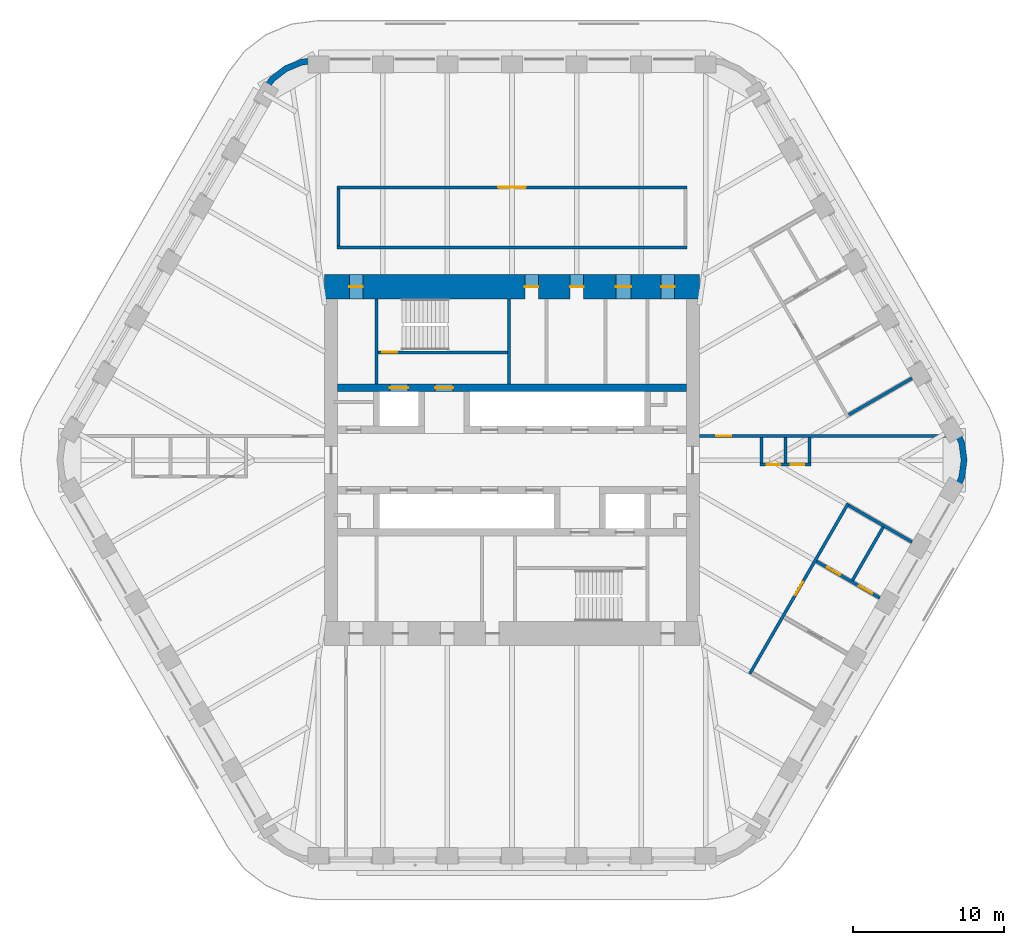
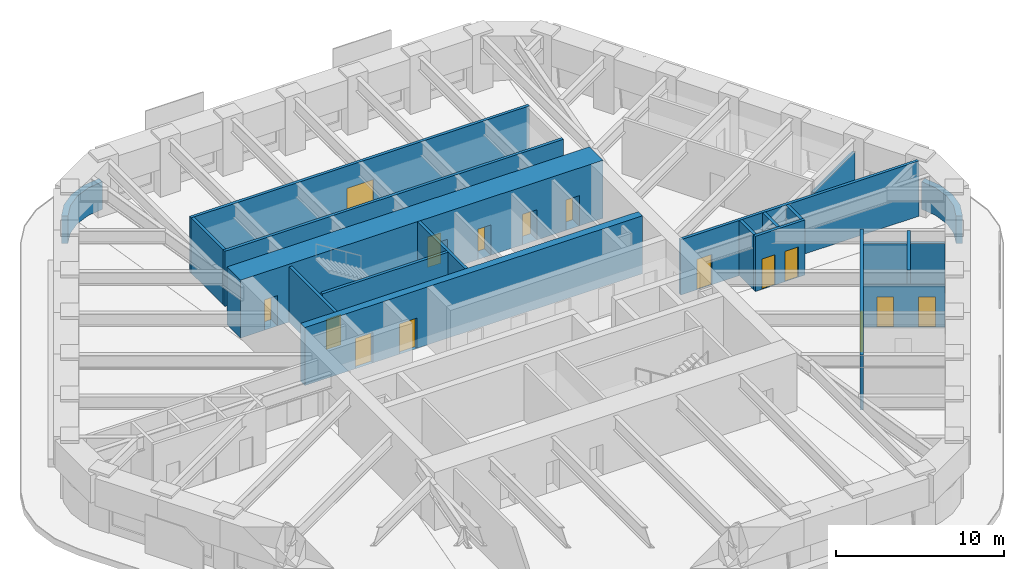
# One storey, part 15 of 18: 20 walls, 15 doors, 15 openings.
"""IFC4 building model written with IfcOpenShell, lengths in metres."""

from ifc_helpers import new_model, si_unit, direction, frame, frame_2d, origin, place, context, subcontext, project, spatial, polyline, rectangle, outline, extrude, material, layer, layer_set, type_object, element, fill, save


model = new_model("IFC4")

# Units and contexts
model_context = context("Model", 3, precision=1e-05, world=origin(), true_north=direction((0.0, 1.0)))
body_context = subcontext(model_context, "Body", "Model", "MODEL_VIEW")
ifc_project = project(units=[si_unit("LENGTHUNIT", "METRE"), si_unit("AREAUNIT", "SQUARE_METRE"), si_unit("VOLUMEUNIT", "CUBIC_METRE"), si_unit("PLANEANGLEUNIT", "RADIAN"), si_unit("MASSUNIT", "GRAM", prefix="KILO")], contexts=[model_context])

# Site, building, storey
site_placement = place(None, origin())
site = spatial("IfcSite", under=ifc_project, at=site_placement, CompositionType="ELEMENT")
building_placement = place(site_placement, origin())
building = spatial("IfcBuilding", under=site, at=building_placement, Name="Tarfa Lantern Tower", CompositionType="ELEMENT")
storey_placement = place(building_placement, frame((0.0, 0.0, 324.10009765625)))
storey = spatial("IfcBuildingStorey", under=building, at=storey_placement, Name="L73", CompositionType="ELEMENT", Elevation=324.10009765625)

# Walls
ifc_material_1 = material(Name="Limestone cladding on blockwork", Category="masonry")
ifc_layer_1 = layer(ifc_material_1, 0.39990234375)
ifc_layer_set_1 = layer_set([ifc_layer_1], Name="EW2 CURVED STONE CORNER 400")
wall_type_1 = type_object("IfcWallType", Name="EW2 CURVED STONE CORNER 400", PredefinedType="SOLIDWALL", material=ifc_layer_set_1)
wall_1_placement = place(storey_placement, origin())
element("IfcWall", 1, at=wall_1_placement, inside=storey, type_object=wall_type_1, Name="Stone corner N-NW", PredefinedType="SOLIDWALL", context=body_context, shape_type="SweptSolid", body=[
    extrude(outline(polyline([(-12.845947265625, 26.75), (-14.0107421875, 26.5966796875), (-15.095947265625, 26.147216796875), (-16.028076171875, 25.431884765625), (-16.7431640625, 24.5), (-16.396728515625, 24.300048828125), (-15.7451171875, 25.149169921875), (-14.89599609375, 25.80078125), (-13.9072265625, 26.210205078125), (-12.845947265625, 26.35009765625), (-12.845947265625, 26.75)])), origin(), (0.0, 0.0, 1.0), 2.0),
])
wall_2_placement = place(storey_placement, origin())
element("IfcWall", 2, at=wall_2_placement, inside=storey, type_object=wall_type_1, Name="Stone corner SE-NE", PredefinedType="SOLIDWALL", context=body_context, shape_type="SweptSolid", body=[
    extrude(outline(polyline([(29.589111328125, -2.25), (30.038818359375, -1.164794921875), (30.192138671875, 0.0), (30.038818359375, 1.164794921875), (29.589111328125, 2.25), (29.24267578125, 2.050048828125), (29.65234375, 1.061279296875), (29.7919921875, 0.0), (29.65234375, -1.061279296875), (29.24267578125, -2.050048828125), (29.589111328125, -2.25)])), origin(), (0.0, 0.0, 1.0), 2.0),
])
ifc_material_2 = material(Name="Concrete blockwork", Category="masonry")
ifc_layer_2 = layer(ifc_material_2, 0.199951171875)
ifc_layer_set_2 = layer_set([ifc_layer_2], Name="IW1 BLOCKWORK PARTITION 200 EI 120")
wall_type_2 = type_object("IfcWallType", Name="IW1 BLOCKWORK PARTITION 200 EI 120", PredefinedType="PARTITIONING", material=ifc_layer_set_2)
wall_3_placement = place(storey_placement, frame((-9.0, 5.050048828125, 0.0), z_axis=(0.0, 0.0, 1.0), x_axis=(0.0, 1.0, 0.0)))
element("IfcWall", 3, at=wall_3_placement, inside=storey, type_object=wall_type_2, Name="Core partition", PredefinedType="PARTITIONING", context=body_context, shape_type="SweptSolid", body=[
    extrude(rectangle(XDim=5.64990234375, YDim=0.199951171875, at=frame_2d((2.824951171875, 0.0))), origin(), (0.0, 0.0, 1.0), 4.0),
])
ifc_material_3 = material(Name="Gypsum board on steel studs", Category="steel")
ifc_layer_3 = layer(ifc_material_3, 0.2099609375)
ifc_layer_set_3 = layer_set([ifc_layer_3], Name="IW2 ACOUSTIC PARTITION 200")
wall_type_3 = type_object("IfcWallType", Name="IW2 ACOUSTIC PARTITION 200", PredefinedType="PARTITIONING", material=ifc_layer_set_3)
wall_4_placement = place(storey_placement, frame((-11.60009765625, 14.10009765625, 0.0), z_axis=(0.0, 0.0, 1.0), x_axis=(1.0, 0.0, 0.0)))
element("IfcWall", 4, at=wall_4_placement, inside=storey, type_object=wall_type_3, Name="Partition", PredefinedType="PARTITIONING", context=body_context, shape_type="SweptSolid", body=[
    extrude(rectangle(XDim=23.2001953125, YDim=0.199951171875, at=frame_2d((11.60009765625, 0.0))), origin(), (0.0, 0.0, 1.0), 4.0),
])

# Wall, opening, door
wall_5_placement = place(storey_placement, frame((-11.60009765625, 18.10009765625, 0.0), z_axis=(0.0, 0.0, 1.0), x_axis=(1.0, 0.0, 0.0)))
wall_5 = element("IfcWall", 5, at=wall_5_placement, inside=storey, type_object=wall_type_3, Name="Partition", PredefinedType="PARTITIONING", context=body_context, shape_type="SweptSolid", body=[
    extrude(rectangle(XDim=23.2001953125, YDim=0.199951171875, at=frame_2d((11.60009765625, 0.0))), origin(), (0.0, 0.0, 1.0), 4.0),
])
opening_1_placement = place(wall_5_placement, frame((10.699951171875, 0.0, 0.0)))
opening_1 = element("IfcOpeningElement", 6, at=opening_1_placement, cuts=wall_5, Name="Opening D29", PredefinedType="OPENING", context=body_context, shape_type="SweptSolid", body=[
    extrude(rectangle(XDim=1.800048828125, YDim=2.39990234375, at=frame_2d((0.89990234375, 1.199951171875))), frame((0.0, 0.10986328125, 0.0), z_axis=(0.0, -1.0, 0.0), x_axis=(1.0, 0.0, 0.0)), (0.0, 0.0, 1.0), 0.219970703125),
])
ifc_material_4 = material(Name="Timber door", Category="wood")
door_type_1 = type_object("IfcDoorType", Name="DR2 ROOM DOOR 1800x2400", OperationType="DOUBLE_DOOR_SINGLE_SWING", PredefinedType="DOOR", material=ifc_material_4)
door_1_placement = place(opening_1_placement, frame((1.800048828125, 0.0, 0.0), z_axis=(0.0, 0.0, 1.0), x_axis=(-1.0, 0.0, 0.0)))
door_1 = element("IfcDoor", 7, at=door_1_placement, inside=storey, type_object=door_type_1, Name="Meeting room door", OperationType="DOUBLE_DOOR_SINGLE_SWING", OverallHeight=2.39990234375, OverallWidth=1.800048828125, PredefinedType="DOOR", context=body_context, shape_type="SweptSolid", body=[
    extrude(rectangle(XDim=1.800048828125, YDim=2.39990234375, at=frame_2d((0.89990234375, 1.199951171875))), frame((0.0, 0.02490234375, 0.0), z_axis=(0.0, -1.0, 0.0), x_axis=(1.0, 0.0, 0.0)), (0.0, 0.0, 1.0), 0.050048828125),
])
fill(opening_1, door_1)

# Walls
wall_6_placement = place(storey_placement, frame((-11.5, 14.199951171875, 0.0), z_axis=(0.0, 0.0, 1.0), x_axis=(0.0, 1.0, 0.0)))
element("IfcWall", 8, at=wall_6_placement, inside=storey, type_object=wall_type_3, Name="Partition", PredefinedType="PARTITIONING", context=body_context, shape_type="SweptSolid", body=[
    extrude(rectangle(XDim=3.800048828125, YDim=0.199951171875, at=frame_2d((1.89990234375, 0.0))), origin(), (0.0, 0.0, 1.0), 4.0),
])
wall_7_placement = place(storey_placement, frame((22.338623046875, 3.00830078125, 0.0), z_axis=(0.0, 0.0, 1.0), x_axis=(0.866019606374, 0.500010041276, 0.0)))
element("IfcWall", 9, at=wall_7_placement, inside=storey, type_object=wall_type_3, Name="Partition", PredefinedType="PARTITIONING", context=body_context, shape_type="SweptSolid", body=[
    extrude(rectangle(XDim=4.85009765625, YDim=0.199951171875, at=frame_2d((2.425048828125, 0.0))), origin(), (0.0, 0.0, 1.0), 3.08154296875),
])

# Wall, opening, door
wall_8_placement = place(storey_placement, frame((15.779052734375, -14.169921875, 0.0), z_axis=(0.0, 0.0, 1.0), x_axis=(0.499999460936, 0.866025715013, 0.0)))
wall_8 = element("IfcWall", 10, at=wall_8_placement, inside=storey, type_object=wall_type_3, Name="Partition", PredefinedType="PARTITIONING", context=body_context, shape_type="SweptSolid", body=[
    extrude(rectangle(XDim=13.0458984375, YDim=0.199951171875, at=frame_2d((6.52294921875, 0.0))), origin(), (0.0, 0.0, 1.0), 4.0),
])
opening_2_placement = place(wall_8_placement, frame((6.02294921875, 0.0, 0.0)))
opening_2 = element("IfcOpeningElement", 11, at=opening_2_placement, cuts=wall_8, Name="Opening D26", PredefinedType="OPENING", context=body_context, shape_type="SweptSolid", body=[
    extrude(rectangle(XDim=1.0, YDim=2.199951171875, at=frame_2d((0.5, 1.10009765625))), frame((0.0, 0.10986328125, 0.0), z_axis=(0.0, -1.0, 0.0), x_axis=(1.0, 0.0, 0.0)), (0.0, 0.0, 1.0), 0.219970703125),
])
door_type_2 = type_object("IfcDoorType", Name="DR1 ROOM DOOR 1000x2200", OperationType="SINGLE_SWING_LEFT", PredefinedType="DOOR", material=ifc_material_4)
door_2_placement = place(opening_2_placement, frame((1.0, 0.0, 0.0), z_axis=(0.0, 0.0, 1.0), x_axis=(-1.0, 0.0, 0.0)))
door_2 = element("IfcDoor", 12, at=door_2_placement, inside=storey, type_object=door_type_2, Name="PA area door", OperationType="SINGLE_SWING_RIGHT", OverallHeight=2.199951171875, OverallWidth=1.0, PredefinedType="DOOR", context=body_context, shape_type="SweptSolid", body=[
    extrude(rectangle(XDim=1.0, YDim=2.199951171875, at=frame_2d((0.5, 1.10009765625))), frame((0.0, 0.02490234375, 0.0), z_axis=(0.0, -1.0, 0.0), x_axis=(1.0, 0.0, 0.0)), (0.0, 0.0, 1.0), 0.050048828125),
])
fill(opening_2, door_2)

# Wall, openings, doors
wall_9_placement = place(storey_placement, frame((20.19775390625, -6.716552734375, 0.0), z_axis=(0.0, 0.0, 1.0), x_axis=(0.866019606374, -0.500010041276, 0.0)))
wall_9 = element("IfcWall", 13, at=wall_9_placement, inside=storey, type_object=wall_type_3, Name="Partition", PredefinedType="PARTITIONING", context=body_context, shape_type="SweptSolid", body=[
    extrude(rectangle(XDim=4.85009765625, YDim=0.199951171875, at=frame_2d((2.425048828125, 0.0))), origin(), (0.0, 0.0, 1.0), 2.99169921875),
])
opening_3_placement = place(wall_9_placement, frame((0.800048828125, 0.0, 0.0)))
opening_3 = element("IfcOpeningElement", 14, at=opening_3_placement, cuts=wall_9, Name="Opening D27", PredefinedType="OPENING", context=body_context, shape_type="SweptSolid", body=[
    extrude(rectangle(XDim=1.0, YDim=2.199951171875, at=frame_2d((0.5, 1.10009765625))), frame((0.0, 0.10986328125, 0.0), z_axis=(0.0, -1.0, 0.0), x_axis=(1.0, 0.0, 0.0)), (0.0, 0.0, 1.0), 0.219970703125),
])
opening_4_placement = place(wall_9_placement, frame((3.27490234375, 0.0, 0.0)))
opening_4 = element("IfcOpeningElement", 15, at=opening_4_placement, cuts=wall_9, Name="Opening D28", PredefinedType="OPENING", context=body_context, shape_type="SweptSolid", body=[
    extrude(rectangle(XDim=1.0, YDim=2.199951171875, at=frame_2d((0.5, 1.10009765625))), frame((0.0, 0.10986328125, 0.0), z_axis=(0.0, -1.0, 0.0), x_axis=(1.0, 0.0, 0.0)), (0.0, 0.0, 1.0), 0.219970703125),
])
door_3_placement = place(opening_3_placement, origin())
door_3 = element("IfcDoor", 16, at=door_3_placement, inside=storey, type_object=door_type_2, Name="Meeting room door", OperationType="SINGLE_SWING_RIGHT", OverallHeight=2.199951171875, OverallWidth=1.0, PredefinedType="DOOR", context=body_context, shape_type="SweptSolid", body=[
    extrude(rectangle(XDim=1.0, YDim=2.199951171875, at=frame_2d((0.5, 1.10009765625))), frame((0.0, 0.02490234375, 0.0), z_axis=(0.0, -1.0, 0.0), x_axis=(1.0, 0.0, 0.0)), (0.0, 0.0, 1.0), 0.050048828125),
])
fill(opening_3, door_3)
door_4_placement = place(opening_4_placement, origin())
door_4 = element("IfcDoor", 17, at=door_4_placement, inside=storey, type_object=door_type_2, Name="Pantry door", OperationType="SINGLE_SWING_RIGHT", OverallHeight=2.199951171875, OverallWidth=1.0, PredefinedType="DOOR", context=body_context, shape_type="SweptSolid", body=[
    extrude(rectangle(XDim=1.0, YDim=2.199951171875, at=frame_2d((0.5, 1.10009765625))), frame((0.0, 0.02490234375, 0.0), z_axis=(0.0, -1.0, 0.0), x_axis=(1.0, 0.0, 0.0)), (0.0, 0.0, 1.0), 0.050048828125),
])
fill(opening_4, door_4)

# Walls
wall_10_placement = place(storey_placement, frame((22.338623046875, -3.00830078125, 0.0), z_axis=(0.0, 0.0, 1.0), x_axis=(0.866019606374, -0.500010041276, 0.0)))
element("IfcWall", 18, at=wall_10_placement, inside=storey, type_object=wall_type_3, Name="Partition", PredefinedType="PARTITIONING", context=body_context, shape_type="SweptSolid", body=[
    extrude(rectangle(XDim=4.85009765625, YDim=0.199951171875, at=frame_2d((2.425048828125, 0.0))), origin(), (0.0, 0.0, 1.0), 3.08154296875),
])
wall_11_placement = place(storey_placement, frame((22.5859375, -7.97998046875, 0.0), z_axis=(0.0, 0.0, 1.0), x_axis=(0.499998569178, 0.866026229868, 0.0)))
element("IfcWall", 19, at=wall_11_placement, inside=storey, type_object=wall_type_3, Name="Partition", PredefinedType="PARTITIONING", context=body_context, shape_type="SweptSolid", body=[
    extrude(rectangle(XDim=4.08203125, YDim=0.199951171875, at=frame_2d((2.041015625, 0.0))), origin(), (0.0, 0.0, 1.0), 4.0),
])

# Wall, opening, door
wall_12_placement = place(storey_placement, frame((12.425048828125, 1.60009765625, 0.0), z_axis=(0.0, 0.0, 1.0), x_axis=(1.0, 0.0, 0.0)))
wall_12 = element("IfcWall", 20, at=wall_12_placement, inside=storey, type_object=wall_type_3, Name="Partition", PredefinedType="PARTITIONING", context=body_context, shape_type="SweptSolid", body=[
    extrude(rectangle(XDim=16.326904296875, YDim=0.199951171875, at=frame_2d((8.16357421875, 0.0))), origin(), (0.0, 0.0, 1.0), 4.0),
])
opening_5_placement = place(wall_12_placement, frame((1.1328125, 0.0, 0.0)))
opening_5 = element("IfcOpeningElement", 21, at=opening_5_placement, cuts=wall_12, Name="Opening D35", PredefinedType="OPENING", context=body_context, shape_type="SweptSolid", body=[
    extrude(rectangle(XDim=1.0, YDim=2.199951171875, at=frame_2d((0.5, 1.10009765625))), frame((0.0, 0.10986328125, 0.0), z_axis=(0.0, -1.0, 0.0), x_axis=(1.0, 0.0, 0.0)), (0.0, 0.0, 1.0), 0.219970703125),
])
door_5_placement = place(opening_5_placement, frame((1.0, 0.0, 0.0), z_axis=(0.0, 0.0, 1.0), x_axis=(-1.0, 0.0, 0.0)))
door_5 = element("IfcDoor", 22, at=door_5_placement, inside=storey, type_object=door_type_2, Name="Zone door", OperationType="SINGLE_SWING_LEFT", OverallHeight=2.199951171875, OverallWidth=1.0, PredefinedType="DOOR", context=body_context, shape_type="SweptSolid", body=[
    extrude(rectangle(XDim=1.0, YDim=2.199951171875, at=frame_2d((0.5, 1.10009765625))), frame((0.0, 0.02490234375, 0.0), z_axis=(0.0, -1.0, 0.0), x_axis=(1.0, 0.0, 0.0)), (0.0, 0.0, 1.0), 0.050048828125),
])
fill(opening_5, door_5)

# Wall, openings, doors
wall_13_placement = place(storey_placement, frame((16.439453125, -0.300048828125, 0.0), z_axis=(0.0, 0.0, 1.0), x_axis=(1.0, 0.0, 0.0)))
wall_13 = element("IfcWall", 23, at=wall_13_placement, inside=storey, type_object=wall_type_3, Name="Partition", PredefinedType="PARTITIONING", context=body_context, shape_type="SweptSolid", body=[
    extrude(rectangle(XDim=3.39990234375, YDim=0.199951171875, at=frame_2d((1.699951171875, 0.0))), origin(), (0.0, 0.0, 1.0), 4.0),
])
opening_6_placement = place(wall_13_placement, frame((0.449951171875, 0.0, 0.0)))
opening_6 = element("IfcOpeningElement", 24, at=opening_6_placement, cuts=wall_13, Name="Opening D33", PredefinedType="OPENING", context=body_context, shape_type="SweptSolid", body=[
    extrude(rectangle(XDim=0.89990234375, YDim=2.199951171875, at=frame_2d((0.449951171875, 1.10009765625))), frame((0.0, 0.10986328125, 0.0), z_axis=(0.0, -1.0, 0.0), x_axis=(1.0, 0.0, 0.0)), (0.0, 0.0, 1.0), 0.219970703125),
])
opening_7_placement = place(wall_13_placement, frame((2.050048828125, 0.0, 0.0)))
opening_7 = element("IfcOpeningElement", 25, at=opening_7_placement, cuts=wall_13, Name="Opening D34", PredefinedType="OPENING", context=body_context, shape_type="SweptSolid", body=[
    extrude(rectangle(XDim=0.89990234375, YDim=2.199951171875, at=frame_2d((0.449951171875, 1.10009765625))), frame((0.0, 0.10986328125, 0.0), z_axis=(0.0, -1.0, 0.0), x_axis=(1.0, 0.0, 0.0)), (0.0, 0.0, 1.0), 0.219970703125),
])
door_type_3 = type_object("IfcDoorType", Name="DR3 ROOM DOOR 900x2200", OperationType="SINGLE_SWING_LEFT", PredefinedType="DOOR", material=ifc_material_4)
door_6_placement = place(opening_6_placement, origin())
door_6 = element("IfcDoor", 26, at=door_6_placement, inside=storey, type_object=door_type_3, Name="Phone booth door", OperationType="SINGLE_SWING_RIGHT", OverallHeight=2.199951171875, OverallWidth=0.89990234375, PredefinedType="DOOR", context=body_context, shape_type="SweptSolid", body=[
    extrude(rectangle(XDim=0.89990234375, YDim=2.199951171875, at=frame_2d((0.449951171875, 1.10009765625))), frame((0.0, 0.02490234375, 0.0), z_axis=(0.0, -1.0, 0.0), x_axis=(1.0, 0.0, 0.0)), (0.0, 0.0, 1.0), 0.050048828125),
])
fill(opening_6, door_6)
door_7_placement = place(opening_7_placement, origin())
door_7 = element("IfcDoor", 27, at=door_7_placement, inside=storey, type_object=door_type_3, Name="Phone booth door", OperationType="SINGLE_SWING_LEFT", OverallHeight=2.199951171875, OverallWidth=0.89990234375, PredefinedType="DOOR", context=body_context, shape_type="SweptSolid", body=[
    extrude(rectangle(XDim=0.89990234375, YDim=2.199951171875, at=frame_2d((0.449951171875, 1.10009765625))), frame((0.0, 0.02490234375, 0.0), z_axis=(0.0, -1.0, 0.0), x_axis=(1.0, 0.0, 0.0)), (0.0, 0.0, 1.0), 0.050048828125),
])
fill(opening_7, door_7)

# Walls
for number, where, z_axis, x_axis, name in (
    (28, (16.53955078125, 1.5, 0.0), (0.0, 0.0, 1.0), (0.0, -1.0, 0.0), "Partition"),
    (29, (18.139404296875, 1.5, 0.0), (0.0, 0.0, 1.0), (0.0, -1.0, 0.0), "Partition"),
    (30, (19.739501953125, 1.5, 0.0), (0.0, 0.0, 1.0), (0.0, -1.0, 0.0), "Partition"),
):
    element("IfcWall", number, at=place(storey_placement, frame(where, z_axis=z_axis, x_axis=x_axis)), inside=storey, type_object=wall_type_3, Name=name, PredefinedType="PARTITIONING", context=body_context, shape_type="SweptSolid", body=[
        extrude(rectangle(XDim=1.699951171875, YDim=0.199951171875, at=frame_2d((0.85009765625, 0.0))), origin(), (0.0, 0.0, 1.0), 4.0),
    ])
ifc_material_5 = material(Name="Concrete C80/95", Category="concrete")
ifc_layer_4 = layer(ifc_material_5, 0.199951171875)
ifc_layer_set_4 = layer_set([ifc_layer_4], Name="SW12 CORE WALL 200")
wall_type_4 = type_object("IfcWallType", Name="SW12 CORE WALL 200", PredefinedType="SHEAR", material=ifc_layer_set_4)
wall_14_placement = place(storey_placement, frame((-0.199951171875, 5.050048828125, 0.0), z_axis=(0.0, 0.0, 1.0), x_axis=(0.0, 1.0, 0.0)))
element("IfcWall", 31, at=wall_14_placement, inside=storey, type_object=wall_type_4, Name="Core wall stair shaft N", PredefinedType="SHEAR", context=body_context, shape_type="SweptSolid", body=[
    extrude(rectangle(XDim=5.64990234375, YDim=0.199951171875, at=frame_2d((2.824951171875, 0.0))), origin(), (0.0, 0.0, 1.0), 4.199951171875),
])

# Wall, opening, door
wall_15_placement = place(storey_placement, frame((-8.89990234375, 7.14990234375, 0.0), z_axis=(0.0, 0.0, 1.0), x_axis=(1.0, 0.0, 0.0)))
wall_15 = element("IfcWall", 32, at=wall_15_placement, inside=storey, type_object=wall_type_4, Name="Core wall stair partition N", PredefinedType="SHEAR", context=body_context, shape_type="SweptSolid", body=[
    extrude(rectangle(XDim=8.599853515625, YDim=0.199951171875, at=frame_2d((4.2998046875, 0.0))), origin(), (0.0, 0.0, 1.0), 4.199951171875),
])
opening_8_placement = place(wall_15_placement, frame((0.300048828125, 0.0, 0.0)))
opening_8 = element("IfcOpeningElement", 33, at=opening_8_placement, cuts=wall_15, Name="Opening D19", PredefinedType="OPENING", context=body_context, shape_type="SweptSolid", body=[
    extrude(rectangle(XDim=1.0, YDim=2.199951171875, at=frame_2d((0.5, 1.10009765625))), frame((0.0, 0.10986328125, 0.0), z_axis=(0.0, -1.0, 0.0), x_axis=(1.0, 0.0, 0.0)), (0.0, 0.0, 1.0), 0.219970703125),
])
ifc_material_6 = material(Name="Steel fire door", Category="steel")
door_type_4 = type_object("IfcDoorType", Name="DF2 STAIR DOOR 1000x2200", OperationType="SINGLE_SWING_LEFT", PredefinedType="DOOR", material=ifc_material_6)
door_8_placement = place(opening_8_placement, origin())
door_8 = element("IfcDoor", 34, at=door_8_placement, inside=storey, type_object=door_type_4, Name="Stair door", OperationType="SINGLE_SWING_RIGHT", OverallHeight=2.199951171875, OverallWidth=1.0, PredefinedType="DOOR", context=body_context, shape_type="SweptSolid", body=[
    extrude(rectangle(XDim=1.0, YDim=2.199951171875, at=frame_2d((0.5, 1.10009765625))), frame((0.0, 0.02490234375, 0.0), z_axis=(0.0, -1.0, 0.0), x_axis=(1.0, 0.0, 0.0)), (0.0, 0.0, 1.0), 0.050048828125),
])
fill(opening_8, door_8)

# Wall, openings, doors
ifc_layer_5 = layer(ifc_material_5, 0.5)
ifc_layer_set_5 = layer_set([ifc_layer_5], Name="SW5 CORE WALL 500")
wall_type_5 = type_object("IfcWallType", Name="SW5 CORE WALL 500", PredefinedType="SHEAR", material=ifc_layer_set_5)
wall_16_placement = place(storey_placement, frame((-11.574951171875, 4.800048828125, 0.0), z_axis=(0.0, 0.0, 1.0), x_axis=(1.0, 0.0, 0.0)))
wall_16 = element("IfcWall", 35, at=wall_16_placement, inside=storey, type_object=wall_type_5, Name="Core wall rear N", PredefinedType="SHEAR", context=body_context, shape_type="SweptSolid", body=[
    extrude(rectangle(XDim=23.14990234375, YDim=0.5, at=frame_2d((11.574951171875, 0.0))), origin(), (0.0, 0.0, 1.0), 4.199951171875),
])
opening_9_placement = place(wall_16_placement, frame((6.47509765625, 0.0, 0.0)))
opening_9 = element("IfcOpeningElement", 36, at=opening_9_placement, cuts=wall_16, Name="Opening D05", PredefinedType="OPENING", context=body_context, shape_type="SweptSolid", body=[
    extrude(rectangle(XDim=1.199951171875, YDim=2.199951171875, at=frame_2d((0.60009765625, 1.10009765625))), frame((0.0, 0.260009765625, 0.0), z_axis=(0.0, -1.0, 0.0), x_axis=(1.0, 0.0, 0.0)), (0.0, 0.0, 1.0), 0.52001953125),
])
opening_10_placement = place(wall_16_placement, frame((3.47509765625, 0.0, 0.0)))
opening_10 = element("IfcOpeningElement", 37, at=opening_10_placement, cuts=wall_16, Name="Opening LD01", PredefinedType="OPENING", context=body_context, shape_type="SweptSolid", body=[
    extrude(rectangle(XDim=1.199951171875, YDim=2.199951171875, at=frame_2d((0.60009765625, 1.10009765625))), frame((0.0, 0.260009765625, 0.0), z_axis=(0.0, -1.0, 0.0), x_axis=(1.0, 0.0, 0.0)), (0.0, 0.0, 1.0), 0.52001953125),
])
door_type_5 = type_object("IfcDoorType", Name="DF1 FIREFIGHTING LOBBY DOOR 1200x2200", OperationType="SINGLE_SWING_LEFT", PredefinedType="DOOR", material=ifc_material_6)
door_9_placement = place(opening_9_placement, origin())
door_9 = element("IfcDoor", 38, at=door_9_placement, inside=storey, type_object=door_type_5, Name="Firefighting lobby door", OperationType="SINGLE_SWING_LEFT", OverallHeight=2.199951171875, OverallWidth=1.199951171875, PredefinedType="DOOR", context=body_context, shape_type="SweptSolid", body=[
    extrude(rectangle(XDim=1.199951171875, YDim=2.199951171875, at=frame_2d((0.60009765625, 1.10009765625))), frame((0.0, 0.02490234375, 0.0), z_axis=(0.0, -1.0, 0.0), x_axis=(1.0, 0.0, 0.0)), (0.0, 0.0, 1.0), 0.050048828125),
])
fill(opening_9, door_9)
ifc_material_7 = material(Name="Stainless steel lift door", Category="steel")
door_type_6 = type_object("IfcDoorType", Name="LD1 LIFT LANDING DOOR 1200x2200", OperationType="SLIDING_TO_LEFT", PredefinedType="DOOR", material=ifc_material_7)
door_10_placement = place(opening_10_placement, origin())
door_10 = element("IfcDoor", 39, at=door_10_placement, inside=storey, type_object=door_type_6, Name="Landing door FL1", OperationType="SLIDING_TO_LEFT", OverallHeight=2.199951171875, OverallWidth=1.199951171875, PredefinedType="DOOR", context=body_context, shape_type="SweptSolid", body=[
    extrude(rectangle(XDim=1.199951171875, YDim=2.199951171875, at=frame_2d((0.60009765625, 1.10009765625))), frame((0.0, 0.02490234375, 0.0), z_axis=(0.0, -1.0, 0.0), x_axis=(1.0, 0.0, 0.0)), (0.0, 0.0, 1.0), 0.050048828125),
])
fill(opening_10, door_10)

ifc_layer_6 = layer(ifc_material_5, 1.60009765625)
ifc_layer_set_6 = layer_set([ifc_layer_6], Name="SW7 CORE WALL 1600")
wall_type_6 = type_object("IfcWallType", Name="SW7 CORE WALL 1600", PredefinedType="SHEAR", material=ifc_layer_set_6)
wall_17_placement = place(storey_placement, frame((-12.425048828125, 11.5, 0.0), z_axis=(0.0, 0.0, 1.0), x_axis=(1.0, 0.0, 0.0)))
wall_17 = element("IfcWall", 40, at=wall_17_placement, inside=storey, type_object=wall_type_6, Name="Core wall N", PredefinedType="SHEAR", context=body_context, shape_type="SweptSolid", body=[
    extrude(rectangle(XDim=24.85009765625, YDim=1.60009765625, at=frame_2d((12.425048828125, 0.0))), origin(), (0.0, 0.0, 1.0), 4.199951171875),
])
opening_11_placement = place(wall_17_placement, frame((13.27490234375, 0.0, 0.0)))
opening_11 = element("IfcOpeningElement", 41, at=opening_11_placement, cuts=wall_17, Name="Opening D13", PredefinedType="OPENING", context=body_context, shape_type="SweptSolid", body=[
    extrude(rectangle(XDim=0.89990234375, YDim=2.199951171875, at=frame_2d((0.449951171875, 1.10009765625))), frame((0.0, 0.81005859375, 0.0), z_axis=(0.0, -1.0, 0.0), x_axis=(1.0, 0.0, 0.0)), (0.0, 0.0, 1.0), 1.6201171875),
])
opening_12_placement = place(wall_17_placement, frame((16.27490234375, 0.0, 0.0)))
opening_12 = element("IfcOpeningElement", 42, at=opening_12_placement, cuts=wall_17, Name="Opening D15", PredefinedType="OPENING", context=body_context, shape_type="SweptSolid", body=[
    extrude(rectangle(XDim=0.89990234375, YDim=2.199951171875, at=frame_2d((0.449951171875, 1.10009765625))), frame((0.0, 0.81005859375, 0.0), z_axis=(0.0, -1.0, 0.0), x_axis=(1.0, 0.0, 0.0)), (0.0, 0.0, 1.0), 1.6201171875),
])
opening_13_placement = place(wall_17_placement, frame((19.324951171875, 0.0, 0.0)))
opening_13 = element("IfcOpeningElement", 43, at=opening_13_placement, cuts=wall_17, Name="Opening D17", PredefinedType="OPENING", context=body_context, shape_type="SweptSolid", body=[
    extrude(rectangle(XDim=1.0, YDim=2.199951171875, at=frame_2d((0.5, 1.10009765625))), frame((0.0, 0.81005859375, 0.0), z_axis=(0.0, -1.0, 0.0), x_axis=(1.0, 0.0, 0.0)), (0.0, 0.0, 1.0), 1.6201171875),
])
opening_14_placement = place(wall_17_placement, frame((1.637451171875, 0.0, 0.0)))
opening_14 = element("IfcOpeningElement", 44, at=opening_14_placement, cuts=wall_17, Name="Opening D03", PredefinedType="OPENING", context=body_context, shape_type="SweptSolid", body=[
    extrude(rectangle(XDim=0.89990234375, YDim=2.199951171875, at=frame_2d((0.449951171875, 1.10009765625))), frame((0.0, 0.81005859375, 0.0), z_axis=(0.0, -1.0, 0.0), x_axis=(1.0, 0.0, 0.0)), (0.0, 0.0, 1.0), 1.6201171875),
])
opening_15_placement = place(wall_17_placement, frame((22.3125, 0.0, 0.0)))
opening_15 = element("IfcOpeningElement", 45, at=opening_15_placement, cuts=wall_17, Name="Opening D01", PredefinedType="OPENING", context=body_context, shape_type="SweptSolid", body=[
    extrude(rectangle(XDim=0.89990234375, YDim=2.199951171875, at=frame_2d((0.449951171875, 1.10009765625))), frame((0.0, 0.81005859375, 0.0), z_axis=(0.0, -1.0, 0.0), x_axis=(1.0, 0.0, 0.0)), (0.0, 0.0, 1.0), 1.6201171875),
])
door_type_7 = type_object("IfcDoorType", Name="DF3 CORE ROOM DOOR 900x2200", OperationType="SINGLE_SWING_LEFT", PredefinedType="DOOR", material=ifc_material_6)
door_11_placement = place(opening_11_placement, frame((0.89990234375, 0.0, 0.0), z_axis=(0.0, 0.0, 1.0), x_axis=(-1.0, 0.0, 0.0)))
door_11 = element("IfcDoor", 46, at=door_11_placement, inside=storey, type_object=door_type_7, Name="Core door", OperationType="SINGLE_SWING_RIGHT", OverallHeight=2.199951171875, OverallWidth=0.89990234375, PredefinedType="DOOR", context=body_context, shape_type="SweptSolid", body=[
    extrude(rectangle(XDim=0.89990234375, YDim=2.199951171875, at=frame_2d((0.449951171875, 1.10009765625))), frame((0.0, 0.02490234375, 0.0), z_axis=(0.0, -1.0, 0.0), x_axis=(1.0, 0.0, 0.0)), (0.0, 0.0, 1.0), 0.050048828125),
])
fill(opening_11, door_11)
door_12_placement = place(opening_12_placement, frame((0.89990234375, 0.0, 0.0), z_axis=(0.0, 0.0, 1.0), x_axis=(-1.0, 0.0, 0.0)))
door_12 = element("IfcDoor", 47, at=door_12_placement, inside=storey, type_object=door_type_7, Name="Core door", OperationType="SINGLE_SWING_RIGHT", OverallHeight=2.199951171875, OverallWidth=0.89990234375, PredefinedType="DOOR", context=body_context, shape_type="SweptSolid", body=[
    extrude(rectangle(XDim=0.89990234375, YDim=2.199951171875, at=frame_2d((0.449951171875, 1.10009765625))), frame((0.0, 0.02490234375, 0.0), z_axis=(0.0, -1.0, 0.0), x_axis=(1.0, 0.0, 0.0)), (0.0, 0.0, 1.0), 0.050048828125),
])
fill(opening_12, door_12)
door_type_8 = type_object("IfcDoorType", Name="DF4 CORE ROOM DOOR 1000x2200", OperationType="SINGLE_SWING_LEFT", PredefinedType="DOOR", material=ifc_material_6)
door_13_placement = place(opening_13_placement, frame((1.0, 0.0, 0.0), z_axis=(0.0, 0.0, 1.0), x_axis=(-1.0, 0.0, 0.0)))
door_13 = element("IfcDoor", 48, at=door_13_placement, inside=storey, type_object=door_type_8, Name="Core door", OperationType="SINGLE_SWING_LEFT", OverallHeight=2.199951171875, OverallWidth=1.0, PredefinedType="DOOR", context=body_context, shape_type="SweptSolid", body=[
    extrude(rectangle(XDim=1.0, YDim=2.199951171875, at=frame_2d((0.5, 1.10009765625))), frame((0.0, 0.02490234375, 0.0), z_axis=(0.0, -1.0, 0.0), x_axis=(1.0, 0.0, 0.0)), (0.0, 0.0, 1.0), 0.050048828125),
])
fill(opening_13, door_13)
door_type_9 = type_object("IfcDoorType", Name="DF5 RISER DOOR 900x2200", OperationType="SINGLE_SWING_LEFT", PredefinedType="DOOR", material=ifc_material_6)
door_14_placement = place(opening_14_placement, frame((0.89990234375, 0.0, 0.0), z_axis=(0.0, 0.0, 1.0), x_axis=(-1.0, 0.0, 0.0)))
door_14 = element("IfcDoor", 49, at=door_14_placement, inside=storey, type_object=door_type_9, Name="Riser door", OperationType="SINGLE_SWING_LEFT", OverallHeight=2.199951171875, OverallWidth=0.89990234375, PredefinedType="DOOR", context=body_context, shape_type="SweptSolid", body=[
    extrude(rectangle(XDim=0.89990234375, YDim=2.199951171875, at=frame_2d((0.449951171875, 1.10009765625))), frame((0.0, 0.02490234375, 0.0), z_axis=(0.0, -1.0, 0.0), x_axis=(1.0, 0.0, 0.0)), (0.0, 0.0, 1.0), 0.050048828125),
])
fill(opening_14, door_14)
door_15_placement = place(opening_15_placement, frame((0.89990234375, 0.0, 0.0), z_axis=(0.0, 0.0, 1.0), x_axis=(-1.0, 0.0, 0.0)))
door_15 = element("IfcDoor", 50, at=door_15_placement, inside=storey, type_object=door_type_9, Name="Riser door", OperationType="SINGLE_SWING_RIGHT", OverallHeight=2.199951171875, OverallWidth=0.89990234375, PredefinedType="DOOR", context=body_context, shape_type="SweptSolid", body=[
    extrude(rectangle(XDim=0.89990234375, YDim=2.199951171875, at=frame_2d((0.449951171875, 1.10009765625))), frame((0.0, 0.02490234375, 0.0), z_axis=(0.0, -1.0, 0.0), x_axis=(1.0, 0.0, 0.0)), (0.0, 0.0, 1.0), 0.050048828125),
])
fill(opening_15, door_15)

save(model, "model.ifc")
